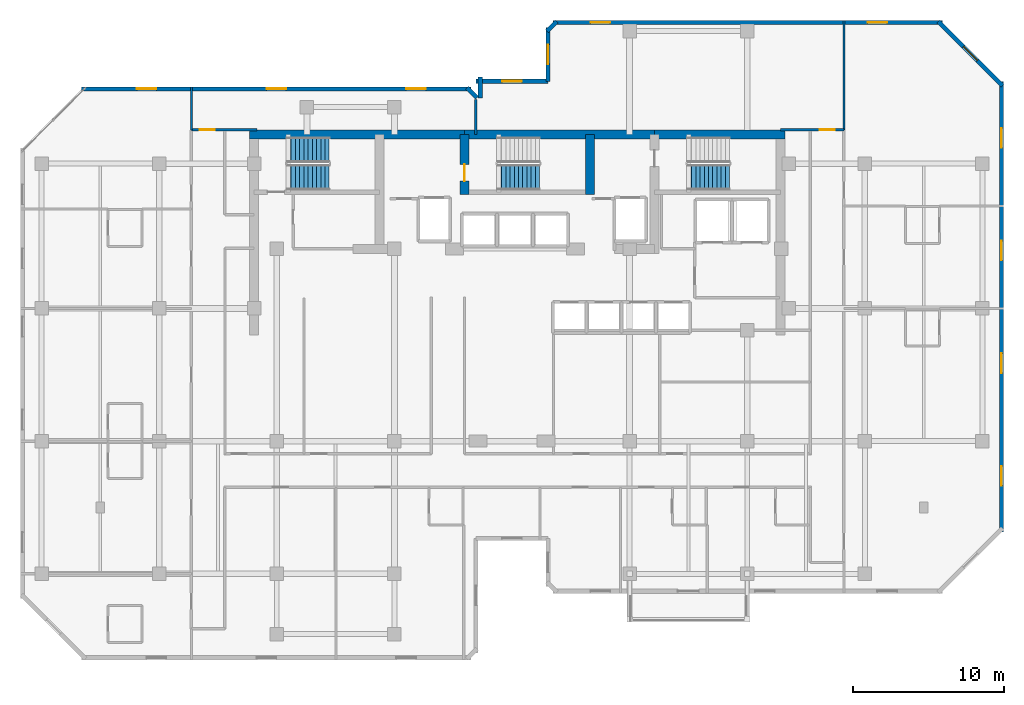
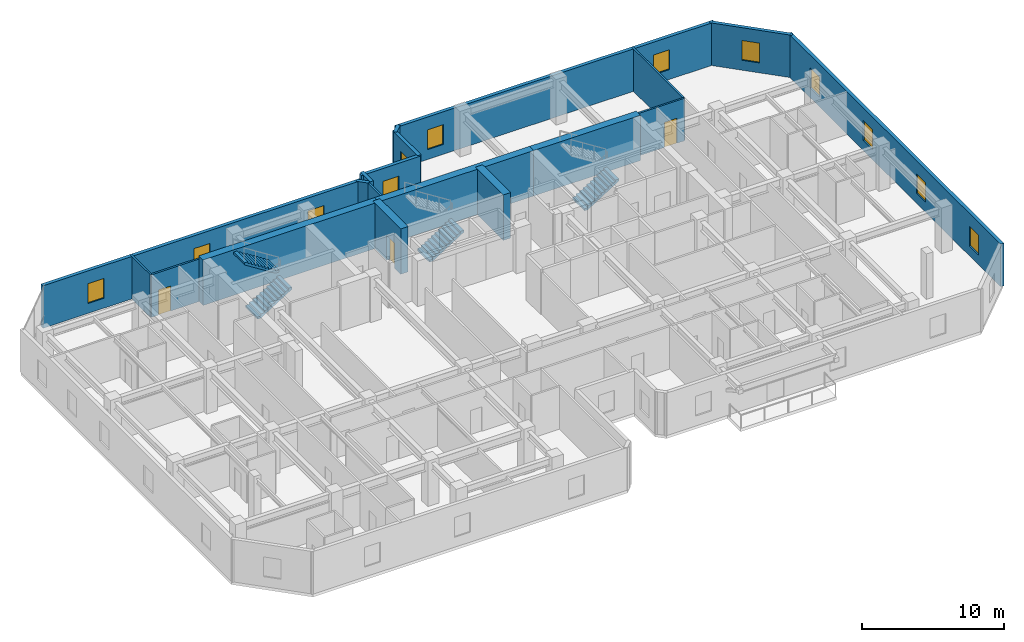
# One storey, part 8 of 11: 19 walls, 12 windows, 4 stair flights, 3 doors, 15 openings, 3 elements without a shape of their own.
"""IFC4 building model written with IfcOpenShell, lengths in metres."""

from ifc_helpers import new_model, si_unit, direction, frame, frame_2d, origin, place, context, subcontext, project, spatial, polyline, rectangle, outline, extrude, material, layer, layer_set, type_object, element, fill, aggregate, save


model = new_model("IFC4")

# Units and contexts
model_context = context("Model", 3, precision=1e-05, world=origin(), true_north=direction((0.0, 1.0)))
body_context = subcontext(model_context, "Body", "Model", "MODEL_VIEW")
ifc_project = project(units=[si_unit("LENGTHUNIT", "METRE"), si_unit("AREAUNIT", "SQUARE_METRE"), si_unit("VOLUMEUNIT", "CUBIC_METRE"), si_unit("PLANEANGLEUNIT", "RADIAN"), si_unit("MASSUNIT", "GRAM", prefix="KILO")], contexts=[model_context])

# Site, building, storey
site_placement = place(None, origin())
site = spatial("IfcSite", under=ifc_project, at=site_placement, CompositionType="ELEMENT")
building_placement = place(site_placement, origin())
building = spatial("IfcBuilding", under=site, at=building_placement, Name="Kestravale Grand Hotel", CompositionType="ELEMENT")
storey_placement = place(building_placement, frame((0.0, 0.0, 192.89990234375)))
storey = spatial("IfcBuildingStorey", under=building, at=storey_placement, Name="L48", CompositionType="ELEMENT", Elevation=192.89990234375)

# Walls
ifc_material_1 = material(Name="Concrete f'c 50 MPa", Category="concrete")
ifc_layer_1 = layer(ifc_material_1, 0.60009765625)
ifc_layer_set_1 = layer_set([ifc_layer_1], Name="EW-CORE-600")
wall_type_1 = type_object("IfcWallType", Name="EW-CORE-600", PredefinedType="SHEAR", material=ifc_layer_set_1)
wall_1_placement = place(storey_placement, frame((21.60009765625, 40.320068359375, 0.0), z_axis=(0.0, 0.0, 1.0), x_axis=(1.0, 0.0, 0.0)))
element("IfcWall", 1, at=wall_1_placement, inside=storey, type_object=wall_type_1, Name="L48 core shear wall N1", PredefinedType="SHEAR", context=body_context, shape_type="SweptSolid", body=[
    extrude(rectangle(XDim=14.25, YDim=0.60009765625, at=frame_2d((7.125, 0.0))), origin(), (0.0, 0.0, 1.0), 3.900146484375),
])
wall_2_placement = place(storey_placement, frame((35.85009765625, 40.320068359375, 0.0), z_axis=(0.0, 0.0, 1.0), x_axis=(1.0, 0.0, 0.0)))
element("IfcWall", 2, at=wall_2_placement, inside=storey, type_object=wall_type_1, Name="L48 core shear wall N2", PredefinedType="SHEAR", context=body_context, shape_type="SweptSolid", body=[
    extrude(rectangle(XDim=12.599853515625, YDim=0.60009765625, at=frame_2d((6.2998046875, 0.0))), origin(), (0.0, 0.0, 1.0), 3.900146484375),
])
wall_3_placement = place(storey_placement, frame((48.449951171875, 40.320068359375, 0.0), z_axis=(0.0, 0.0, 1.0), x_axis=(1.0, 0.0, 0.0)))
element("IfcWall", 3, at=wall_3_placement, inside=storey, type_object=wall_type_1, Name="L48 core shear wall N3", PredefinedType="SHEAR", context=body_context, shape_type="SweptSolid", body=[
    extrude(rectangle(XDim=8.670166015625, YDim=0.60009765625, at=frame_2d((4.3349609375, 0.0))), origin(), (0.0, 0.0, 1.0), 3.900146484375),
])

# Wall, opening, door
wall_4_placement = place(storey_placement, frame((35.85009765625, 36.3701171875, 0.0), z_axis=(0.0, 0.0, 1.0), x_axis=(0.0, 1.0, 0.0)))
wall_4 = element("IfcWall", 4, at=wall_4_placement, inside=storey, type_object=wall_type_1, Name="L48 core shear wall X2", PredefinedType="SHEAR", context=body_context, shape_type="SweptSolid", body=[
    extrude(rectangle(XDim=3.949951171875, YDim=0.60009765625, at=frame_2d((1.97509765625, 0.0))), origin(), (0.0, 0.0, 1.0), 3.900146484375),
])
opening_1_placement = place(wall_4_placement, frame((0.8798828125, 0.0, 0.0)))
opening_1 = element("IfcOpeningElement", 5, at=opening_1_placement, cuts=wall_4, Name="Opening D-ST-1100", PredefinedType="OPENING", context=body_context, shape_type="SweptSolid", body=[
    extrude(rectangle(XDim=1.10009765625, YDim=2.14990234375, at=frame_2d((0.550048828125, 1.074951171875))), frame((0.0, 0.31005859375, 0.0), z_axis=(0.0, -1.0, 0.0), x_axis=(1.0, 0.0, 0.0)), (0.0, 0.0, 1.0), 0.6201171875),
])
ifc_material_2 = material(Name="Galvanised 90-minute fire-rated steel stair door", Category="steel")
door_type_1 = type_object("IfcDoorType", Name="D-ST-1100", OperationType="NOTDEFINED", PredefinedType="DOOR", material=ifc_material_2)
door_1_placement = place(opening_1_placement, origin())
door_1 = element("IfcDoor", 6, at=door_1_placement, inside=storey, type_object=door_type_1, Name="L48 Stair ST-2 FSAE fire door", OperationType="SINGLE_SWING_RIGHT", OverallHeight=2.14990234375, OverallWidth=1.10009765625, PredefinedType="DOOR", context=body_context, shape_type="SweptSolid", body=[
    extrude(rectangle(XDim=1.10009765625, YDim=2.14990234375, at=frame_2d((0.550048828125, 1.074951171875))), frame((0.0, 0.02490234375, 0.0), z_axis=(0.0, -1.0, 0.0), x_axis=(1.0, 0.0, 0.0)), (0.0, 0.0, 1.0), 0.050048828125),
])
fill(opening_1, door_1)

# Wall
wall_5_placement = place(storey_placement, frame((44.179931640625, 36.3701171875, 0.0), z_axis=(0.0, 0.0, 1.0), x_axis=(0.0, 1.0, 0.0)))
element("IfcWall", 7, at=wall_5_placement, inside=storey, type_object=wall_type_1, Name="L48 core shear wall X3", PredefinedType="SHEAR", context=body_context, shape_type="SweptSolid", body=[
    extrude(rectangle(XDim=3.949951171875, YDim=0.60009765625, at=frame_2d((1.97509765625, 0.0))), origin(), (0.0, 0.0, 1.0), 3.900146484375),
])

# Wall, openings, windows
ifc_material_3 = material(Name="Precast concrete f'c 45 MPa", Category="concrete")
ifc_layer_2 = layer(ifc_material_3, 0.280029296875)
ifc_layer_set_2 = layer_set([ifc_layer_2], Name="EW-PREC-280")
wall_type_2 = type_object("IfcWallType", Name="EW-PREC-280", PredefinedType="SOLIDWALL", material=ifc_layer_set_2)
wall_6_placement = place(storey_placement, frame((71.4599609375, 13.9599609375, 0.0), z_axis=(0.0, 0.0, 1.0), x_axis=(0.0, 1.0, 0.0)))
wall_6 = element("IfcWall", 8, at=wall_6_placement, inside=storey, type_object=wall_type_2, Name="L48 fluted precast facade wall 9", PredefinedType="SOLIDWALL", context=body_context, shape_type="SweptSolid", body=[
    extrude(rectangle(XDim=29.880126953125, YDim=0.280029296875, at=frame_2d((14.93994140625, 0.0))), origin(), (0.0, 0.0, 1.0), 3.650146484375),
])
opening_2_placement = place(wall_6_placement, frame((3.0849609375, 0.0, 0.85009765625)))
opening_2 = element("IfcOpeningElement", 9, at=opening_2_placement, cuts=wall_6, Name="Opening W-GUEST-1300", PredefinedType="OPENING", context=body_context, shape_type="SweptSolid", body=[
    extrude(rectangle(XDim=1.300048828125, YDim=1.699951171875, at=frame_2d((0.64990234375, 0.85009765625))), frame((0.0, 0.14990234375, 0.0), z_axis=(0.0, -1.0, 0.0), x_axis=(1.0, 0.0, 0.0)), (0.0, 0.0, 1.0), 0.300048828125),
])
opening_3_placement = place(wall_6_placement, frame((10.554931640625, 0.0, 0.85009765625)))
opening_3 = element("IfcOpeningElement", 10, at=opening_3_placement, cuts=wall_6, Name="Opening W-GUEST-1300", PredefinedType="OPENING", context=body_context, shape_type="SweptSolid", body=[
    extrude(rectangle(XDim=1.300048828125, YDim=1.699951171875, at=frame_2d((0.64990234375, 0.85009765625))), frame((0.0, 0.14990234375, 0.0), z_axis=(0.0, -1.0, 0.0), x_axis=(1.0, 0.0, 0.0)), (0.0, 0.0, 1.0), 0.300048828125),
])
opening_4_placement = place(wall_6_placement, frame((18.02490234375, 0.0, 0.85009765625)))
opening_4 = element("IfcOpeningElement", 11, at=opening_4_placement, cuts=wall_6, Name="Opening W-GUEST-1300", PredefinedType="OPENING", context=body_context, shape_type="SweptSolid", body=[
    extrude(rectangle(XDim=1.300048828125, YDim=1.699951171875, at=frame_2d((0.64990234375, 0.85009765625))), frame((0.0, 0.14990234375, 0.0), z_axis=(0.0, -1.0, 0.0), x_axis=(1.0, 0.0, 0.0)), (0.0, 0.0, 1.0), 0.300048828125),
])
opening_5_placement = place(wall_6_placement, frame((25.4951171875, 0.0, 0.85009765625)))
opening_5 = element("IfcOpeningElement", 12, at=opening_5_placement, cuts=wall_6, Name="Opening W-GUEST-1300", PredefinedType="OPENING", context=body_context, shape_type="SweptSolid", body=[
    extrude(rectangle(XDim=1.300048828125, YDim=1.699951171875, at=frame_2d((0.64990234375, 0.85009765625))), frame((0.0, 0.14990234375, 0.0), z_axis=(0.0, -1.0, 0.0), x_axis=(1.0, 0.0, 0.0)), (0.0, 0.0, 1.0), 0.300048828125),
])
ifc_material_4 = material(Name="Insulated low-E double glazing in aluminium frame", Category="aluminium")
window_type = type_object("IfcWindowType", Name="W-GUEST-1300", PartitioningType="SINGLE_PANEL", PredefinedType="WINDOW", material=ifc_material_4)
window_1_placement = place(opening_2_placement, origin())
window_1 = element("IfcWindow", 13, at=window_1_placement, inside=storey, type_object=window_type, Name="L48 exterior window 9.1", OverallHeight=1.699951171875, OverallWidth=1.300048828125, PartitioningType="SINGLE_PANEL", PredefinedType="WINDOW", context=body_context, shape_type="SweptSolid", body=[
    extrude(rectangle(XDim=1.300048828125, YDim=1.699951171875, at=frame_2d((0.64990234375, 0.85009765625))), frame((0.0, 0.030029296875, 0.0), z_axis=(0.0, -1.0, 0.0), x_axis=(1.0, 0.0, 0.0)), (0.0, 0.0, 1.0), 0.06005859375),
])
fill(opening_2, window_1)
window_2_placement = place(opening_3_placement, origin())
window_2 = element("IfcWindow", 14, at=window_2_placement, inside=storey, type_object=window_type, Name="L48 exterior window 9.2", OverallHeight=1.699951171875, OverallWidth=1.300048828125, PartitioningType="SINGLE_PANEL", PredefinedType="WINDOW", context=body_context, shape_type="SweptSolid", body=[
    extrude(rectangle(XDim=1.300048828125, YDim=1.699951171875, at=frame_2d((0.64990234375, 0.85009765625))), frame((0.0, 0.030029296875, 0.0), z_axis=(0.0, -1.0, 0.0), x_axis=(1.0, 0.0, 0.0)), (0.0, 0.0, 1.0), 0.06005859375),
])
fill(opening_3, window_2)
window_3_placement = place(opening_4_placement, origin())
window_3 = element("IfcWindow", 15, at=window_3_placement, inside=storey, type_object=window_type, Name="L48 exterior window 9.3", OverallHeight=1.699951171875, OverallWidth=1.300048828125, PartitioningType="SINGLE_PANEL", PredefinedType="WINDOW", context=body_context, shape_type="SweptSolid", body=[
    extrude(rectangle(XDim=1.300048828125, YDim=1.699951171875, at=frame_2d((0.64990234375, 0.85009765625))), frame((0.0, 0.030029296875, 0.0), z_axis=(0.0, -1.0, 0.0), x_axis=(1.0, 0.0, 0.0)), (0.0, 0.0, 1.0), 0.06005859375),
])
fill(opening_4, window_3)
window_4_placement = place(opening_5_placement, origin())
window_4 = element("IfcWindow", 16, at=window_4_placement, inside=storey, type_object=window_type, Name="L48 exterior window 9.4", OverallHeight=1.699951171875, OverallWidth=1.300048828125, PartitioningType="SINGLE_PANEL", PredefinedType="WINDOW", context=body_context, shape_type="SweptSolid", body=[
    extrude(rectangle(XDim=1.300048828125, YDim=1.699951171875, at=frame_2d((0.64990234375, 0.85009765625))), frame((0.0, 0.030029296875, 0.0), z_axis=(0.0, -1.0, 0.0), x_axis=(1.0, 0.0, 0.0)), (0.0, 0.0, 1.0), 0.06005859375),
])
fill(opening_5, window_4)

# Wall, opening, window
wall_7_placement = place(storey_placement, frame((71.529296875, 43.57275390625, 0.0), z_axis=(0.0, 0.0, 1.0), x_axis=(-0.707106781187, 0.707106781187, 0.0)))
wall_7 = element("IfcWall", 17, at=wall_7_placement, inside=storey, type_object=wall_type_2, Name="L48 fluted precast facade wall 10", PredefinedType="SOLIDWALL", context=body_context, shape_type="SweptSolid", body=[
    extrude(rectangle(XDim=6.019775390625, YDim=0.280029296875, at=frame_2d((3.009765625, 0.0))), origin(), (0.0, 0.0, 1.0), 3.650146484375),
])
opening_6_placement = place(wall_7_placement, frame((2.35986328125, 0.0, 0.85009765625)))
opening_6 = element("IfcOpeningElement", 18, at=opening_6_placement, cuts=wall_7, Name="Opening W-GUEST-1300", PredefinedType="OPENING", context=body_context, shape_type="SweptSolid", body=[
    extrude(rectangle(XDim=1.300048828125, YDim=1.699951171875, at=frame_2d((0.64990234375, 0.85009765625))), frame((0.0, 0.14990234375, 0.0), z_axis=(0.0, -1.0, 0.0), x_axis=(1.0, 0.0, 0.0)), (0.0, 0.0, 1.0), 0.300048828125),
])
window_5_placement = place(opening_6_placement, origin())
window_5 = element("IfcWindow", 19, at=window_5_placement, inside=storey, type_object=window_type, Name="L48 exterior window 10.1", OverallHeight=1.699951171875, OverallWidth=1.300048828125, PartitioningType="SINGLE_PANEL", PredefinedType="WINDOW", context=body_context, shape_type="SweptSolid", body=[
    extrude(rectangle(XDim=1.300048828125, YDim=1.699951171875, at=frame_2d((0.64990234375, 0.85009765625))), frame((0.0, 0.030029296875, 0.0), z_axis=(0.0, -1.0, 0.0), x_axis=(1.0, 0.0, 0.0)), (0.0, 0.0, 1.0), 0.06005859375),
])
fill(opening_6, window_5)

# Wall, openings, windows
wall_8_placement = place(storey_placement, frame((67.5400390625, 47.760009765625, 0.0), z_axis=(0.0, 0.0, 1.0), x_axis=(-1.0, 0.0, 0.0)))
wall_8 = element("IfcWall", 20, at=wall_8_placement, inside=storey, type_object=wall_type_2, Name="L48 fluted precast facade wall 11", PredefinedType="SOLIDWALL", context=body_context, shape_type="SweptSolid", body=[
    extrude(rectangle(XDim=25.830078125, YDim=0.280029296875, at=frame_2d((12.9150390625, 0.0))), origin(), (0.0, 0.0, 1.0), 3.650146484375),
])
opening_7_placement = place(wall_8_placement, frame((3.655029296875, 0.0, 0.85009765625)))
opening_7 = element("IfcOpeningElement", 21, at=opening_7_placement, cuts=wall_8, Name="Opening W-GUEST-1300", PredefinedType="OPENING", context=body_context, shape_type="SweptSolid", body=[
    extrude(rectangle(XDim=1.300048828125, YDim=1.699951171875, at=frame_2d((0.64990234375, 0.85009765625))), frame((0.0, 0.14990234375, 0.0), z_axis=(0.0, -1.0, 0.0), x_axis=(1.0, 0.0, 0.0)), (0.0, 0.0, 1.0), 0.300048828125),
])
opening_8_placement = place(wall_8_placement, frame((22.02490234375, 0.0, 0.85009765625)))
opening_8 = element("IfcOpeningElement", 22, at=opening_8_placement, cuts=wall_8, Name="Opening W-GUEST-1300", PredefinedType="OPENING", context=body_context, shape_type="SweptSolid", body=[
    extrude(rectangle(XDim=1.300048828125, YDim=1.699951171875, at=frame_2d((0.64990234375, 0.85009765625))), frame((0.0, 0.14990234375, 0.0), z_axis=(0.0, -1.0, 0.0), x_axis=(1.0, 0.0, 0.0)), (0.0, 0.0, 1.0), 0.300048828125),
])
window_6_placement = place(opening_7_placement, origin())
window_6 = element("IfcWindow", 23, at=window_6_placement, inside=storey, type_object=window_type, Name="L48 exterior window 11.1", OverallHeight=1.699951171875, OverallWidth=1.300048828125, PartitioningType="SINGLE_PANEL", PredefinedType="WINDOW", context=body_context, shape_type="SweptSolid", body=[
    extrude(rectangle(XDim=1.300048828125, YDim=1.699951171875, at=frame_2d((0.64990234375, 0.85009765625))), frame((0.0, 0.030029296875, 0.0), z_axis=(0.0, -1.0, 0.0), x_axis=(1.0, 0.0, 0.0)), (0.0, 0.0, 1.0), 0.06005859375),
])
fill(opening_7, window_6)
window_7_placement = place(opening_8_placement, origin())
window_7 = element("IfcWindow", 24, at=window_7_placement, inside=storey, type_object=window_type, Name="L48 exterior window 11.2", OverallHeight=1.699951171875, OverallWidth=1.300048828125, PartitioningType="SINGLE_PANEL", PredefinedType="WINDOW", context=body_context, shape_type="SweptSolid", body=[
    extrude(rectangle(XDim=1.300048828125, YDim=1.699951171875, at=frame_2d((0.64990234375, 0.85009765625))), frame((0.0, 0.030029296875, 0.0), z_axis=(0.0, -1.0, 0.0), x_axis=(1.0, 0.0, 0.0)), (0.0, 0.0, 1.0), 0.06005859375),
])
fill(opening_8, window_7)

# Wall
wall_9_placement = place(storey_placement, frame((41.977294921875, 47.829345703125, 0.0), z_axis=(0.0, 0.0, 1.0), x_axis=(-0.706975312048, -0.707238225886, 0.0)))
element("IfcWall", 25, at=wall_9_placement, inside=storey, type_object=wall_type_2, Name="L48 fluted precast facade wall 12", PredefinedType="SOLIDWALL", context=body_context, shape_type="SweptSolid", body=[
    extrude(rectangle(XDim=0.9287109375, YDim=0.280029296875, at=frame_2d((0.46435546875, 0.0))), origin(), (0.0, 0.0, 1.0), 3.650146484375),
])

# Wall, opening, window
wall_10_placement = place(storey_placement, frame((41.389892578125, 47.43994140625, 0.0), z_axis=(0.0, 0.0, 1.0), x_axis=(0.0, -1.0, 0.0)))
wall_10 = element("IfcWall", 26, at=wall_10_placement, inside=storey, type_object=wall_type_2, Name="L48 fluted precast facade wall 13", PredefinedType="SOLIDWALL", context=body_context, shape_type="SweptSolid", body=[
    extrude(rectangle(XDim=3.579833984375, YDim=0.280029296875, at=frame_2d((1.7900390625, 0.0))), origin(), (0.0, 0.0, 1.0), 3.650146484375),
])
opening_9_placement = place(wall_10_placement, frame((1.139892578125, 0.0, 0.85009765625)))
opening_9 = element("IfcOpeningElement", 27, at=opening_9_placement, cuts=wall_10, Name="Opening W-GUEST-1300", PredefinedType="OPENING", context=body_context, shape_type="SweptSolid", body=[
    extrude(rectangle(XDim=1.300048828125, YDim=1.699951171875, at=frame_2d((0.64990234375, 0.85009765625))), frame((0.0, 0.14990234375, 0.0), z_axis=(0.0, -1.0, 0.0), x_axis=(1.0, 0.0, 0.0)), (0.0, 0.0, 1.0), 0.300048828125),
])
window_8_placement = place(opening_9_placement, origin())
window_8 = element("IfcWindow", 28, at=window_8_placement, inside=storey, type_object=window_type, Name="L48 exterior window 13.1", OverallHeight=1.699951171875, OverallWidth=1.300048828125, PartitioningType="SINGLE_PANEL", PredefinedType="WINDOW", context=body_context, shape_type="SweptSolid", body=[
    extrude(rectangle(XDim=1.300048828125, YDim=1.699951171875, at=frame_2d((0.64990234375, 0.85009765625))), frame((0.0, 0.030029296875, 0.0), z_axis=(0.0, -1.0, 0.0), x_axis=(1.0, 0.0, 0.0)), (0.0, 0.0, 1.0), 0.06005859375),
])
fill(opening_9, window_8)

wall_11_placement = place(storey_placement, frame((41.389892578125, 43.860107421875, 0.0), z_axis=(0.0, 0.0, 1.0), x_axis=(-1.0, 0.0, 0.0)))
wall_11 = element("IfcWall", 29, at=wall_11_placement, inside=storey, type_object=wall_type_2, Name="L48 fluted precast facade wall 14", PredefinedType="SOLIDWALL", context=body_context, shape_type="SweptSolid", body=[
    extrude(rectangle(XDim=4.77978515625, YDim=0.280029296875, at=frame_2d((2.389892578125, 0.0))), origin(), (0.0, 0.0, 1.0), 3.650146484375),
])
opening_10_placement = place(wall_11_placement, frame((1.739990234375, 0.0, 0.85009765625)))
opening_10 = element("IfcOpeningElement", 30, at=opening_10_placement, cuts=wall_11, Name="Opening W-GUEST-1300", PredefinedType="OPENING", context=body_context, shape_type="SweptSolid", body=[
    extrude(rectangle(XDim=1.300048828125, YDim=1.699951171875, at=frame_2d((0.64990234375, 0.85009765625))), frame((0.0, 0.14990234375, 0.0), z_axis=(0.0, -1.0, 0.0), x_axis=(1.0, 0.0, 0.0)), (0.0, 0.0, 1.0), 0.300048828125),
])
window_9_placement = place(opening_10_placement, origin())
window_9 = element("IfcWindow", 31, at=window_9_placement, inside=storey, type_object=window_type, Name="L48 exterior window 14.1", OverallHeight=1.699951171875, OverallWidth=1.300048828125, PartitioningType="SINGLE_PANEL", PredefinedType="WINDOW", context=body_context, shape_type="SweptSolid", body=[
    extrude(rectangle(XDim=1.300048828125, YDim=1.699951171875, at=frame_2d((0.64990234375, 0.85009765625))), frame((0.0, 0.030029296875, 0.0), z_axis=(0.0, -1.0, 0.0), x_axis=(1.0, 0.0, 0.0)), (0.0, 0.0, 1.0), 0.06005859375),
])
fill(opening_10, window_9)

# Walls
wall_12_placement = place(storey_placement, frame((36.889892578125, 44.139892578125, 0.0), z_axis=(0.0, 0.0, 1.0), x_axis=(0.0, -1.0, 0.0)))
element("IfcWall", 32, at=wall_12_placement, inside=storey, type_object=wall_type_2, Name="L48 fluted precast facade wall 15", PredefinedType="SOLIDWALL", context=body_context, shape_type="SweptSolid", body=[
    extrude(rectangle(XDim=1.3798828125, YDim=0.280029296875, at=frame_2d((0.68994140625, 0.0))), origin(), (0.0, 0.0, 1.0), 3.650146484375),
])
wall_13_placement = place(storey_placement, frame((36.67919921875, 42.772705078125, 0.0), z_axis=(0.0, 0.0, 1.0), x_axis=(-0.707106781187, 0.707106781187, 0.0)))
element("IfcWall", 33, at=wall_13_placement, inside=storey, type_object=wall_type_2, Name="L48 fluted precast facade wall 16", PredefinedType="SOLIDWALL", context=body_context, shape_type="SweptSolid", body=[
    extrude(rectangle(XDim=0.928466796875, YDim=0.280029296875, at=frame_2d((0.46435546875, 0.0))), origin(), (0.0, 0.0, 1.0), 3.650146484375),
])

# Wall, openings, windows
wall_14_placement = place(storey_placement, frame((36.2900390625, 43.360107421875, 0.0), z_axis=(0.0, 0.0, 1.0), x_axis=(-1.0, 0.0, 0.0)))
wall_14 = element("IfcWall", 34, at=wall_14_placement, inside=storey, type_object=wall_type_2, Name="L48 fluted precast facade wall 17", PredefinedType="SOLIDWALL", context=body_context, shape_type="SweptSolid", body=[
    extrude(rectangle(XDim=25.830078125, YDim=0.280029296875, at=frame_2d((12.9150390625, 0.0))), origin(), (0.0, 0.0, 1.0), 3.650146484375),
])
opening_11_placement = place(wall_14_placement, frame((3.0048828125, 0.0, 0.85009765625)))
opening_11 = element("IfcOpeningElement", 35, at=opening_11_placement, cuts=wall_14, Name="Opening W-GUEST-1300", PredefinedType="OPENING", context=body_context, shape_type="SweptSolid", body=[
    extrude(rectangle(XDim=1.300048828125, YDim=1.699951171875, at=frame_2d((0.64990234375, 0.85009765625))), frame((0.0, 0.14990234375, 0.0), z_axis=(0.0, -1.0, 0.0), x_axis=(1.0, 0.0, 0.0)), (0.0, 0.0, 1.0), 0.300048828125),
])
opening_12_placement = place(wall_14_placement, frame((12.264892578125, 0.0, 0.85009765625)))
opening_12 = element("IfcOpeningElement", 36, at=opening_12_placement, cuts=wall_14, Name="Opening W-GUEST-1300", PredefinedType="OPENING", context=body_context, shape_type="SweptSolid", body=[
    extrude(rectangle(XDim=1.300048828125, YDim=1.699951171875, at=frame_2d((0.64990234375, 0.85009765625))), frame((0.0, 0.14990234375, 0.0), z_axis=(0.0, -1.0, 0.0), x_axis=(1.0, 0.0, 0.0)), (0.0, 0.0, 1.0), 0.300048828125),
])
opening_13_placement = place(wall_14_placement, frame((20.875, 0.0, 0.85009765625)))
opening_13 = element("IfcOpeningElement", 37, at=opening_13_placement, cuts=wall_14, Name="Opening W-GUEST-1300", PredefinedType="OPENING", context=body_context, shape_type="SweptSolid", body=[
    extrude(rectangle(XDim=1.300048828125, YDim=1.699951171875, at=frame_2d((0.64990234375, 0.85009765625))), frame((0.0, 0.14990234375, 0.0), z_axis=(0.0, -1.0, 0.0), x_axis=(1.0, 0.0, 0.0)), (0.0, 0.0, 1.0), 0.300048828125),
])
window_10_placement = place(opening_11_placement, origin())
window_10 = element("IfcWindow", 38, at=window_10_placement, inside=storey, type_object=window_type, Name="L48 exterior window 17.1", OverallHeight=1.699951171875, OverallWidth=1.300048828125, PartitioningType="SINGLE_PANEL", PredefinedType="WINDOW", context=body_context, shape_type="SweptSolid", body=[
    extrude(rectangle(XDim=1.300048828125, YDim=1.699951171875, at=frame_2d((0.64990234375, 0.85009765625))), frame((0.0, 0.030029296875, 0.0), z_axis=(0.0, -1.0, 0.0), x_axis=(1.0, 0.0, 0.0)), (0.0, 0.0, 1.0), 0.06005859375),
])
fill(opening_11, window_10)
window_11_placement = place(opening_12_placement, origin())
window_11 = element("IfcWindow", 39, at=window_11_placement, inside=storey, type_object=window_type, Name="L48 exterior window 17.2", OverallHeight=1.699951171875, OverallWidth=1.300048828125, PartitioningType="SINGLE_PANEL", PredefinedType="WINDOW", context=body_context, shape_type="SweptSolid", body=[
    extrude(rectangle(XDim=1.300048828125, YDim=1.699951171875, at=frame_2d((0.64990234375, 0.85009765625))), frame((0.0, 0.030029296875, 0.0), z_axis=(0.0, -1.0, 0.0), x_axis=(1.0, 0.0, 0.0)), (0.0, 0.0, 1.0), 0.06005859375),
])
fill(opening_12, window_11)
window_12_placement = place(opening_13_placement, origin())
window_12 = element("IfcWindow", 40, at=window_12_placement, inside=storey, type_object=window_type, Name="L48 exterior window 17.3", OverallHeight=1.699951171875, OverallWidth=1.300048828125, PartitioningType="SINGLE_PANEL", PredefinedType="WINDOW", context=body_context, shape_type="SweptSolid", body=[
    extrude(rectangle(XDim=1.300048828125, YDim=1.699951171875, at=frame_2d((0.64990234375, 0.85009765625))), frame((0.0, 0.030029296875, 0.0), z_axis=(0.0, -1.0, 0.0), x_axis=(1.0, 0.0, 0.0)), (0.0, 0.0, 1.0), 0.06005859375),
])
fill(opening_13, window_12)

# Wall, opening, door
ifc_material_5 = material(Name="Double-stud STC 52 acoustic demising partition", Category="other")
ifc_layer_3 = layer(ifc_material_5, 0.14990234375)
ifc_layer_set_3 = layer_set([ifc_layer_3], Name="IW-UNIT-150")
wall_type_3 = type_object("IfcWallType", Name="IW-UNIT-150", PredefinedType="PARTITIONING", material=ifc_layer_set_3)
wall_15_placement = place(storey_placement, frame((17.739990234375, 40.64990234375, 0.0), z_axis=(0.0, 0.0, 1.0), x_axis=(1.0, 0.0, 0.0)))
wall_15 = element("IfcWall", 41, at=wall_15_placement, inside=storey, type_object=wall_type_3, Name="W-L48-SW-N", PredefinedType="PARTITIONING", context=body_context, shape_type="SweptSolid", body=[
    extrude(rectangle(XDim=4.360107421875, YDim=0.14990234375, at=frame_2d((2.18017578125, 0.0))), origin(), (0.0, 0.0, 1.0), 3.650146484375),
])
opening_14_placement = place(wall_15_placement, frame((0.550048828125, 0.0, 0.0)))
opening_14 = element("IfcOpeningElement", 42, at=opening_14_placement, cuts=wall_15, Name="Opening D-GUEST-1000", PredefinedType="OPENING", context=body_context, shape_type="SweptSolid", body=[
    extrude(rectangle(XDim=1.0, YDim=2.14990234375, at=frame_2d((0.5, 1.074951171875))), frame((0.0, 0.0849609375, 0.0), z_axis=(0.0, -1.0, 0.0), x_axis=(1.0, 0.0, 0.0)), (0.0, 0.0, 1.0), 0.169921875),
])
ifc_material_6 = material(Name="Accessible walnut veneer hotel entrance fire door", Category="wood")
door_type_2 = type_object("IfcDoorType", Name="D-GUEST-1000", OperationType="NOTDEFINED", PredefinedType="DOOR", material=ifc_material_6)
door_2_placement = place(opening_14_placement, origin())
door_2 = element("IfcDoor", 43, at=door_2_placement, inside=storey, type_object=door_type_2, Name="L48 NW Gallery Door", OperationType="SINGLE_SWING_RIGHT", OverallHeight=2.14990234375, OverallWidth=1.0, PredefinedType="DOOR", context=body_context, shape_type="SweptSolid", body=[
    extrude(rectangle(XDim=1.0, YDim=2.14990234375, at=frame_2d((0.5, 1.074951171875))), frame((0.0, 0.02490234375, 0.0), z_axis=(0.0, -1.0, 0.0), x_axis=(1.0, 0.0, 0.0)), (0.0, 0.0, 1.0), 0.050048828125),
])
fill(opening_14, door_2)

wall_16_placement = place(storey_placement, frame((56.800048828125, 40.64990234375, 0.0), z_axis=(0.0, 0.0, 1.0), x_axis=(1.0, 0.0, 0.0)))
wall_16 = element("IfcWall", 44, at=wall_16_placement, inside=storey, type_object=wall_type_3, Name="W-L48-SE-N", PredefinedType="PARTITIONING", context=body_context, shape_type="SweptSolid", body=[
    extrude(rectangle(XDim=4.2099609375, YDim=0.14990234375, at=frame_2d((2.10498046875, 0.0))), origin(), (0.0, 0.0, 1.0), 3.650146484375),
])
opening_15_placement = place(wall_16_placement, frame((2.60009765625, 0.0, 0.0)))
opening_15 = element("IfcOpeningElement", 45, at=opening_15_placement, cuts=wall_16, Name="Opening D-GUEST-1000", PredefinedType="OPENING", context=body_context, shape_type="SweptSolid", body=[
    extrude(rectangle(XDim=1.0, YDim=2.14990234375, at=frame_2d((0.5, 1.074951171875))), frame((0.0, 0.0849609375, 0.0), z_axis=(0.0, -1.0, 0.0), x_axis=(1.0, 0.0, 0.0)), (0.0, 0.0, 1.0), 0.169921875),
])
door_3_placement = place(opening_15_placement, origin())
door_3 = element("IfcDoor", 46, at=door_3_placement, inside=storey, type_object=door_type_2, Name="L48 NE Gallery Door", OperationType="SINGLE_SWING_LEFT", OverallHeight=2.14990234375, OverallWidth=1.0, PredefinedType="DOOR", context=body_context, shape_type="SweptSolid", body=[
    extrude(rectangle(XDim=1.0, YDim=2.14990234375, at=frame_2d((0.5, 1.074951171875))), frame((0.0, 0.02490234375, 0.0), z_axis=(0.0, -1.0, 0.0), x_axis=(1.0, 0.0, 0.0)), (0.0, 0.0, 1.0), 0.050048828125),
])
fill(opening_15, door_3)

# Walls
wall_17_placement = place(storey_placement, frame((17.739990234375, 40.64990234375, 0.0), z_axis=(0.0, 0.0, 1.0), x_axis=(0.0, 1.0, 0.0)))
element("IfcWall", 47, at=wall_17_placement, inside=storey, type_object=wall_type_3, Name="W-L48-NGW-W", PredefinedType="PARTITIONING", context=body_context, shape_type="SweptSolid", body=[
    extrude(rectangle(XDim=2.830078125, YDim=0.14990234375, at=frame_2d((1.4150390625, 0.0))), origin(), (0.0, 0.0, 1.0), 3.650146484375),
])
wall_18_placement = place(storey_placement, frame((36.60009765625, 40.320068359375, 0.0), z_axis=(0.0, 0.0, 1.0), x_axis=(0.0, 1.0, 0.0)))
element("IfcWall", 48, at=wall_18_placement, inside=storey, type_object=wall_type_3, Name="W-L48-NGM", PredefinedType="PARTITIONING", context=body_context, shape_type="SweptSolid", body=[
    extrude(rectangle(XDim=2.344970703125, YDim=0.14990234375, at=frame_2d((1.17236328125, 0.0))), origin(), (0.0, 0.0, 1.0), 3.650146484375),
])
wall_19_placement = place(storey_placement, frame((61.010009765625, 40.64990234375, 0.0), z_axis=(0.0, 0.0, 1.0), x_axis=(0.0, 1.0, 0.0)))
element("IfcWall", 49, at=wall_19_placement, inside=storey, type_object=wall_type_3, Name="W-L48-NGE-E", PredefinedType="PARTITIONING", context=body_context, shape_type="SweptSolid", body=[
    extrude(rectangle(XDim=7.22998046875, YDim=0.14990234375, at=frame_2d((3.614990234375, 0.0))), origin(), (0.0, 0.0, 1.0), 3.650146484375),
])

# Stair, stair flights
ifc_material_7 = material(Name="Concrete f'c 45 MPa", Category="concrete")
stair_type = type_object("IfcStairType", Name="ST-CORE-390", PredefinedType="HALF_TURN_STAIR", material=ifc_material_7)
stair_1_placement = place(storey_placement, origin())
stair_1 = element("IfcStair", 50, at=stair_1_placement, inside=storey, type_object=stair_type, Name="L48 ST-1", PredefinedType="HALF_TURN_STAIR")
ifc_material_8 = material(Name="Concrete f'c 45 MPa", Category="concrete")
stair_flight_type = type_object("IfcStairFlightType", Name="STF-CORE-390", PredefinedType="STRAIGHT", material=ifc_material_8)
stair_flight_1_placement = place(storey_placement, frame((24.080078125, 37.489990234375, 0.0), z_axis=(0.0, 0.0, 1.0), x_axis=(1.0, 0.0, 0.0)))
stair_flight_1 = element("IfcStairFlight", 51, at=stair_flight_1_placement, type_object=stair_flight_type, Name="ST-1 flight 1", NumberOfRisers=11, NumberOfTreads=10, PredefinedType="STRAIGHT", RiserHeight=0.177272727, TreadLength=0.28, context=body_context, shape_type="SweptSolid", body=[
    extrude(outline(polyline([(0.0, 0.0), (0.0, 0.17724609375), (0.280029296875, 0.17724609375), (0.280029296875, 0.3544921875), (0.56005859375, 0.3544921875), (0.56005859375, 0.53173828125), (0.840087890625, 0.53173828125), (0.840087890625, 0.708984375), (1.1201171875, 0.708984375), (1.1201171875, 0.886474609375), (1.39990234375, 0.886474609375), (1.39990234375, 1.063720703125), (1.679931640625, 1.063720703125), (1.679931640625, 1.240966796875), (1.9599609375, 1.240966796875), (1.9599609375, 1.418212890625), (2.239990234375, 1.418212890625), (2.239990234375, 1.595458984375), (2.52001953125, 1.595458984375), (2.52001953125, 1.772705078125), (2.800048828125, 1.772705078125), (2.800048828125, 1.949951171875), (2.800048828125, 1.59521484375), (0.2802734375, 0.0), (0.0, 0.0)])), frame((0.0, 0.83984375, 0.0), z_axis=(0.0, -1.0, 0.0), x_axis=(1.0, 0.0, 0.0)), (0.0, 0.0, 1.0), 1.679931640625),
])
stair_flight_2_placement = place(storey_placement, frame((26.8798828125, 39.320068359375, 1.9501953125), z_axis=(0.0, 0.0, 1.0), x_axis=(-1.0, 0.0, 0.0)))
stair_flight_2 = element("IfcStairFlight", 52, at=stair_flight_2_placement, type_object=stair_flight_type, Name="ST-1 flight 2", NumberOfRisers=11, NumberOfTreads=10, PredefinedType="STRAIGHT", RiserHeight=0.177272727, TreadLength=0.28, context=body_context, shape_type="SweptSolid", body=[
    extrude(outline(polyline([(0.0, 0.0), (0.0, 0.17724609375), (0.280029296875, 0.17724609375), (0.280029296875, 0.3544921875), (0.56005859375, 0.3544921875), (0.56005859375, 0.53173828125), (0.840087890625, 0.53173828125), (0.840087890625, 0.708984375), (1.1201171875, 0.708984375), (1.1201171875, 0.886474609375), (1.39990234375, 0.886474609375), (1.39990234375, 1.063720703125), (1.679931640625, 1.063720703125), (1.679931640625, 1.240966796875), (1.9599609375, 1.240966796875), (1.9599609375, 1.418212890625), (2.239990234375, 1.418212890625), (2.239990234375, 1.595458984375), (2.52001953125, 1.595458984375), (2.52001953125, 1.772705078125), (2.800048828125, 1.772705078125), (2.800048828125, 1.949951171875), (2.800048828125, 1.59521484375), (0.2802734375, 0.0), (0.0, 0.0)])), frame((0.0, 0.83984375, 0.0), z_axis=(0.0, -1.0, 0.0), x_axis=(1.0, 0.0, 0.0)), (0.0, 0.0, 1.0), 1.679931640625),
])
aggregate(stair_1, [stair_flight_1, stair_flight_2])

# Stair, stair flight
stair_2_placement = place(storey_placement, origin())
stair_2 = element("IfcStair", 53, at=stair_2_placement, inside=storey, type_object=stair_type, Name="L48 ST-2", PredefinedType="HALF_TURN_STAIR")
stair_flight_3_placement = place(storey_placement, frame((38.030029296875, 37.489990234375, 0.0), z_axis=(0.0, 0.0, 1.0), x_axis=(1.0, 0.0, 0.0)))
stair_flight_3 = element("IfcStairFlight", 54, at=stair_flight_3_placement, type_object=stair_flight_type, Name="ST-2 flight 1", NumberOfRisers=11, NumberOfTreads=10, PredefinedType="STRAIGHT", RiserHeight=0.177272727, TreadLength=0.28, context=body_context, shape_type="SweptSolid", body=[
    extrude(outline(polyline([(0.0, 0.0), (0.0, 0.17724609375), (0.280029296875, 0.17724609375), (0.280029296875, 0.3544921875), (0.56005859375, 0.3544921875), (0.56005859375, 0.53173828125), (0.840087890625, 0.53173828125), (0.840087890625, 0.708984375), (1.1201171875, 0.708984375), (1.1201171875, 0.886474609375), (1.39990234375, 0.886474609375), (1.39990234375, 1.063720703125), (1.679931640625, 1.063720703125), (1.679931640625, 1.240966796875), (1.9599609375, 1.240966796875), (1.9599609375, 1.418212890625), (2.239990234375, 1.418212890625), (2.239990234375, 1.595458984375), (2.52001953125, 1.595458984375), (2.52001953125, 1.772705078125), (2.800048828125, 1.772705078125), (2.800048828125, 1.949951171875), (2.800048828125, 1.59521484375), (0.2802734375, 0.0), (0.0, 0.0)])), frame((0.0, 0.83984375, 0.0), z_axis=(0.0, -1.0, 0.0), x_axis=(1.0, 0.0, 0.0)), (0.0, 0.0, 1.0), 1.679931640625),
])
aggregate(stair_2, [stair_flight_3])

stair_3_placement = place(storey_placement, origin())
stair_3 = element("IfcStair", 55, at=stair_3_placement, inside=storey, type_object=stair_type, Name="L48 ST-3", PredefinedType="HALF_TURN_STAIR")
stair_flight_4_placement = place(storey_placement, frame((50.6298828125, 37.489990234375, 0.0), z_axis=(0.0, 0.0, 1.0), x_axis=(1.0, 0.0, 0.0)))
stair_flight_4 = element("IfcStairFlight", 56, at=stair_flight_4_placement, type_object=stair_flight_type, Name="ST-3 flight 1", NumberOfRisers=11, NumberOfTreads=10, PredefinedType="STRAIGHT", RiserHeight=0.177272727, TreadLength=0.28, context=body_context, shape_type="SweptSolid", body=[
    extrude(outline(polyline([(0.0, 0.0), (0.0, 0.17724609375), (0.280029296875, 0.17724609375), (0.280029296875, 0.3544921875), (0.56005859375, 0.3544921875), (0.56005859375, 0.53173828125), (0.840087890625, 0.53173828125), (0.840087890625, 0.708984375), (1.1201171875, 0.708984375), (1.1201171875, 0.886474609375), (1.39990234375, 0.886474609375), (1.39990234375, 1.063720703125), (1.679931640625, 1.063720703125), (1.679931640625, 1.240966796875), (1.9599609375, 1.240966796875), (1.9599609375, 1.418212890625), (2.239990234375, 1.418212890625), (2.239990234375, 1.595458984375), (2.52001953125, 1.595458984375), (2.52001953125, 1.772705078125), (2.800048828125, 1.772705078125), (2.800048828125, 1.949951171875), (2.800048828125, 1.59521484375), (0.2802734375, 0.0), (0.0, 0.0)])), frame((0.0, 0.83984375, 0.0), z_axis=(0.0, -1.0, 0.0), x_axis=(1.0, 0.0, 0.0)), (0.0, 0.0, 1.0), 1.679931640625),
])
aggregate(stair_3, [stair_flight_4])

save(model, "model.ifc")
